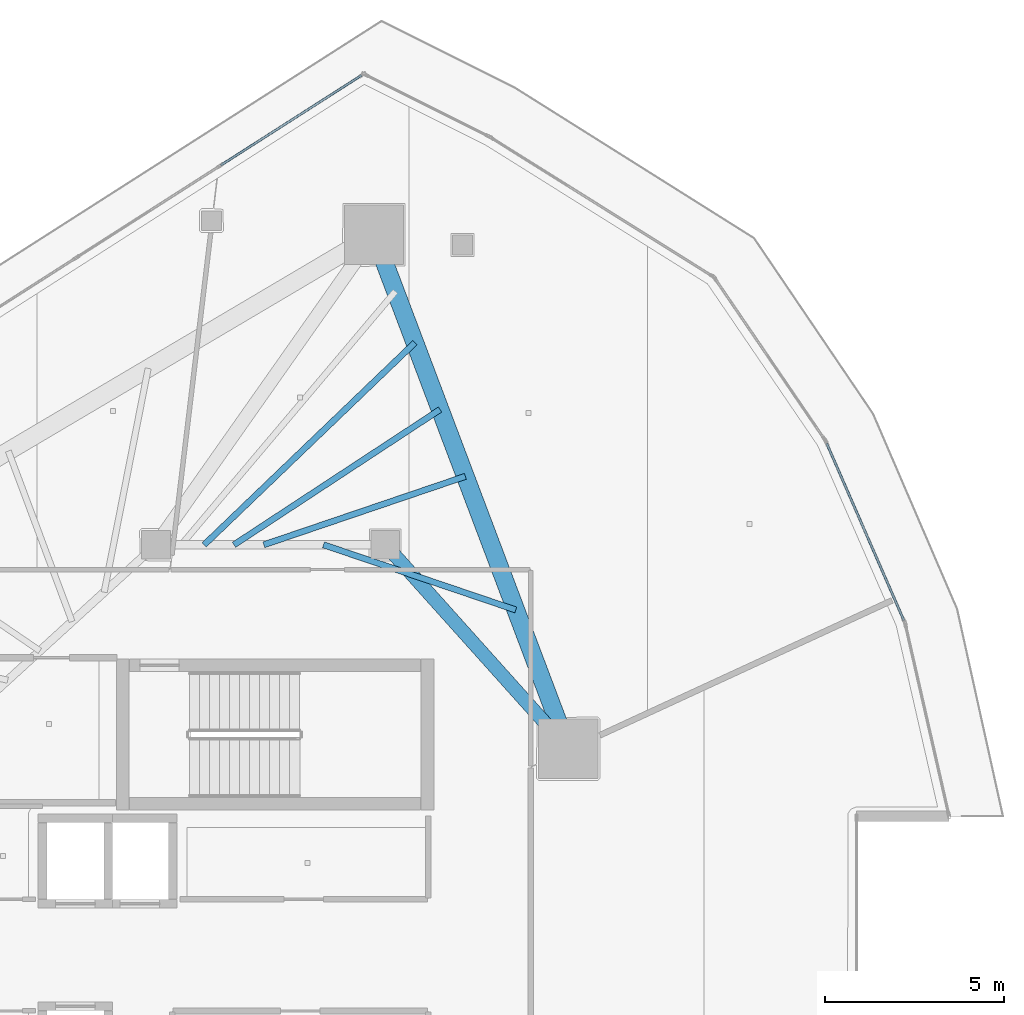
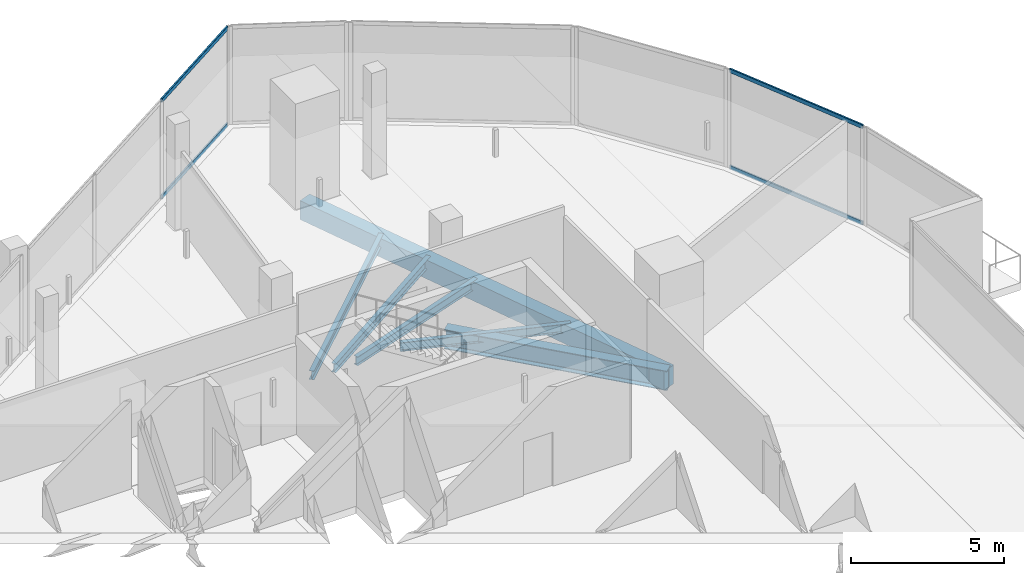
# One storey, part 18 of 31: 6 beams, 4 members, 2 elements without a shape of their own.
"""IFC4 building model written with IfcOpenShell, lengths in metres."""

from ifc_helpers import new_model, si_unit, direction, frame, origin, origin_2d, place, context, subcontext, project, spatial, rectangle, hollow_rectangle, i_section, extrude, material, layer, layer_set, material_profile, profile_set, type_object, element, aggregate, save


model = new_model("IFC4")

# Units and contexts
model_context = context("Model", 3, precision=1e-05, world=origin(), true_north=direction((0.0, 1.0)))
body_context = subcontext(model_context, "Body", "Model", "MODEL_VIEW")
ifc_project = project(units=[si_unit("LENGTHUNIT", "METRE"), si_unit("AREAUNIT", "SQUARE_METRE"), si_unit("VOLUMEUNIT", "CUBIC_METRE"), si_unit("PLANEANGLEUNIT", "RADIAN"), si_unit("MASSUNIT", "GRAM", prefix="KILO")], contexts=[model_context])

# Site, building, storey
site_placement = place(None, origin())
site = spatial("IfcSite", under=ifc_project, at=site_placement, CompositionType="ELEMENT")
building_placement = place(site_placement, origin())
building = spatial("IfcBuilding", under=site, at=building_placement, Name="Qorvath Tower", CompositionType="ELEMENT")
storey_placement = place(building_placement, frame((0.0, 0.0, 264.0)))
storey = spatial("IfcBuildingStorey", under=building, at=storey_placement, Name="L61", CompositionType="ELEMENT", Elevation=264.0)

# Beams
ifc_material_1 = material(Name="Steel ASTM A992 Grade 50", Category="steel")
ifc_material_profile_1 = material_profile(ifc_material_1, i_section(OverallWidth=0.381103515625, OverallDepth=0.77294921875, WebThickness=0.0166015625, FlangeThickness=0.027099609375, FilletRadius=0.01904296875, at=origin_2d()), Name="W30x173")
ifc_profile_set_1 = profile_set([ifc_material_profile_1], Name="Steel ASTM A992 Grade 50")
beam_type_1 = type_object("IfcBeamType", Name="BM-FG3", PredefinedType="BEAM", material=ifc_profile_set_1)
beam_1_placement = place(storey_placement, frame((-17.199951171875, 11.449951171875, -0.676513671875), z_axis=(0.667543184261, -0.744571082669, 0.0), x_axis=(0.744571082669, 0.667543184261, 0.0)))
element("IfcBeam", 1, at=beam_1_placement, inside=storey, type_object=beam_type_1, Name="Radial Floor Girder CC2-MC5 L61", PredefinedType="BEAM", context=body_context, shape_type="SweptSolid", body=[
    extrude(i_section(OverallWidth=0.381103515625, OverallDepth=0.77294921875, WebThickness=0.0166015625, FlangeThickness=0.027099609375, FilletRadius=0.01904296875, at=origin_2d()), origin(), (0.0, 0.0, 1.0), 7.644775390625),
])
ifc_material_2 = material(Name="Steel ASTM A992 Grade 50", Category="steel")
ifc_material_profile_2 = material_profile(ifc_material_2, i_section(OverallWidth=0.1708984375, OverallDepth=0.35107421875, WebThickness=0.0068359375, FlangeThickness=0.009765625, FilletRadius=0.010009765625, at=origin_2d()), Name="W14x30")
ifc_profile_set_2 = profile_set([ifc_material_profile_2], Name="Steel ASTM A992 Grade 50")
beam_type_2 = type_object("IfcBeamType", Name="BM-FJ4", PredefinedType="JOIST", material=ifc_profile_set_2)
beam_2_placement = place(storey_placement, frame((-18.927978515625, 11.449951171875, -0.465576171875), z_axis=(0.947086298547, -0.32097903842, 0.0), x_axis=(0.32097903842, 0.947086298547, 0.0)))
element("IfcBeam", 2, at=beam_2_placement, inside=storey, type_object=beam_type_2, Name="Composite Floor Joist NE2 L61", PredefinedType="JOIST", context=body_context, shape_type="SweptSolid", body=[
    extrude(i_section(OverallWidth=0.1708984375, OverallDepth=0.35107421875, WebThickness=0.0068359375, FlangeThickness=0.009765625, FilletRadius=0.010009765625, at=origin_2d()), origin(), (0.0, 0.0, 1.0), 5.66796875),
])
beam_3_placement = place(storey_placement, frame((-20.592041015625, 11.449951171875, -0.465576171875), z_axis=(0.946863164885, 0.321636669216, 0.0), x_axis=(-0.321636669216, 0.946863164885, 0.0)))
element("IfcBeam", 3, at=beam_3_placement, inside=storey, type_object=beam_type_2, Name="Composite Floor Joist NE4 L61", PredefinedType="JOIST", context=body_context, shape_type="SweptSolid", body=[
    extrude(i_section(OverallWidth=0.1708984375, OverallDepth=0.35107421875, WebThickness=0.0068359375, FlangeThickness=0.009765625, FilletRadius=0.010009765625, at=origin_2d()), origin(), (0.0, 0.0, 1.0), 5.93896484375),
])
beam_4_placement = place(storey_placement, frame((-21.424072265625, 11.449951171875, -0.465576171875), z_axis=(0.835992964387, 0.548740160272, 0.0), x_axis=(-0.548740160272, 0.835992964387, 0.0)))
element("IfcBeam", 4, at=beam_4_placement, inside=storey, type_object=beam_type_2, Name="Composite Floor Joist NE5 L61", PredefinedType="JOIST", context=body_context, shape_type="SweptSolid", body=[
    extrude(i_section(OverallWidth=0.1708984375, OverallDepth=0.35107421875, WebThickness=0.0068359375, FlangeThickness=0.009765625, FilletRadius=0.010009765625, at=origin_2d()), origin(), (0.0, 0.0, 1.0), 6.879150390625),
])
beam_5_placement = place(storey_placement, frame((-22.256103515625, 11.449951171875, -0.465576171875), z_axis=(0.721625044611, 0.692284114356, 0.0), x_axis=(-0.692284114356, 0.721625044611, 0.0)))
element("IfcBeam", 5, at=beam_5_placement, inside=storey, type_object=beam_type_2, Name="Composite Floor Joist NE6 L61", PredefinedType="JOIST", context=body_context, shape_type="SweptSolid", body=[
    extrude(i_section(OverallWidth=0.1708984375, OverallDepth=0.35107421875, WebThickness=0.0068359375, FlangeThickness=0.009765625, FilletRadius=0.010009765625, at=origin_2d()), origin(), (0.0, 0.0, 1.0), 8.14599609375),
])
ifc_material_3 = material(Name="Concrete C45/55", Category="concrete")
ifc_material_profile_3 = material_profile(ifc_material_3, rectangle(XDim=0.5, YDim=0.75, at=origin_2d()), Name="RCB 750x500")
ifc_profile_set_3 = profile_set([ifc_material_profile_3], Name="Concrete C45/55")
beam_type_3 = type_object("IfcBeamType", Name="BM-RCB3", PredefinedType="SPANDREL", material=ifc_profile_set_3)
beam_6_placement = place(storey_placement, frame((-12.0966796875, 5.7578125, -0.6650390625), z_axis=(-0.353397781952, 0.935473146441, 0.0), x_axis=(-0.935473146441, -0.353397781952, 0.0)))
element("IfcBeam", 6, at=beam_6_placement, inside=storey, type_object=beam_type_3, Name="Perimeter Loggia Frame Beam MC5-MC6 L61", PredefinedType="SPANDREL", context=body_context, shape_type="SweptSolid", body=[
    extrude(rectangle(XDim=0.5, YDim=0.75, at=origin_2d()), origin(), (0.0, 0.0, 1.0), 15.333251953125),
])

# Curtain wall, members
ifc_material_4 = material(Name="Anodised aluminium and triple low-E glass", Category="aluminium")
ifc_layer = layer(ifc_material_4, 0.179931640625)
ifc_layer_set = layer_set([ifc_layer], Name="CW-SYS-4")
curtain_wall_type = type_object("IfcCurtainWallType", Name="CW-SYS-4", PredefinedType="NOTDEFINED", material=ifc_layer_set)
curtain_wall_1_placement = place(storey_placement, origin())
curtain_wall_1 = element("IfcCurtainWall", 7, at=curtain_wall_1_placement, inside=storey, type_object=curtain_wall_type, Name="Curtain Wall CW-4 CW-T-L61-12.1", PredefinedType="NOTDEFINED")
ifc_material_5 = material(Name="Anodised aluminium 6063-T6", Category="aluminium")
ifc_material_profile_4 = material_profile(ifc_material_5, hollow_rectangle(XDim=0.06494140625, YDim=0.159912109375, WallThickness=0.00341796875, InnerFilletRadius=0.00341796875, OuterFilletRadius=0.007080078125, at=origin_2d()), Name="CWT 160x65")
ifc_profile_set_4 = profile_set([ifc_material_profile_4], Name="Anodised aluminium 6063-T6")
member_type = type_object("IfcMemberType", Name="CWT-160", PredefinedType="USERDEFINED", material=ifc_profile_set_4)
member_1_placement = place(storey_placement, frame((-2.728515625, 9.338623046875, 0.032470703125), z_axis=(-0.399769994455, 0.916615487286, 0.0), x_axis=(-0.916615487286, -0.399769994455, 0.0)))
member_1 = element("IfcMember", 8, at=member_1_placement, type_object=member_type, Name="CW-4 transom 1.1", ObjectType="TRANSOM", PredefinedType="USERDEFINED", context=body_context, shape_type="SweptSolid", body=[
    extrude(hollow_rectangle(XDim=0.06494140625, YDim=0.159912109375, WallThickness=0.00341796875, InnerFilletRadius=0.00341796875, OuterFilletRadius=0.007080078125, at=origin_2d()), origin(), (0.0, 0.0, 1.0), 5.386474609375),
])
member_2_placement = place(storey_placement, frame((-2.728515625, 9.338623046875, 3.87744140625), z_axis=(-0.399769994455, 0.916615487286, 0.0), x_axis=(-0.916615487286, -0.399769994455, 0.0)))
member_2 = element("IfcMember", 9, at=member_2_placement, type_object=member_type, Name="CW-4 transom 1.2", ObjectType="TRANSOM", PredefinedType="USERDEFINED", context=body_context, shape_type="SweptSolid", body=[
    extrude(hollow_rectangle(XDim=0.06494140625, YDim=0.159912109375, WallThickness=0.00341796875, InnerFilletRadius=0.00341796875, OuterFilletRadius=0.007080078125, at=origin_2d()), origin(), (0.0, 0.0, 1.0), 5.386474609375),
])
aggregate(curtain_wall_1, [member_1, member_2])

curtain_wall_2_placement = place(storey_placement, origin())
curtain_wall_2 = element("IfcCurtainWall", 10, at=curtain_wall_2_placement, inside=storey, type_object=curtain_wall_type, Name="Curtain Wall CW-4 CW-T-L61-16.1", PredefinedType="NOTDEFINED")
member_3_placement = place(storey_placement, frame((-17.86572265625, 24.552490234375, 0.032470703125), z_axis=(-0.842601734478, -0.53853720118, 0.0), x_axis=(0.53853720118, -0.842601734478, 0.0)))
member_3 = element("IfcMember", 11, at=member_3_placement, type_object=member_type, Name="CW-4 transom 1.1", ObjectType="TRANSOM", PredefinedType="USERDEFINED", context=body_context, shape_type="SweptSolid", body=[
    extrude(hollow_rectangle(XDim=0.06494140625, YDim=0.159912109375, WallThickness=0.00341796875, InnerFilletRadius=0.00341796875, OuterFilletRadius=0.007080078125, at=origin_2d()), origin(), (0.0, 0.0, 1.0), 4.6552734375),
])
member_4_placement = place(storey_placement, frame((-17.86572265625, 24.552490234375, 3.87744140625), z_axis=(-0.842601734478, -0.53853720118, 0.0), x_axis=(0.53853720118, -0.842601734478, 0.0)))
member_4 = element("IfcMember", 12, at=member_4_placement, type_object=member_type, Name="CW-4 transom 1.2", ObjectType="TRANSOM", PredefinedType="USERDEFINED", context=body_context, shape_type="SweptSolid", body=[
    extrude(hollow_rectangle(XDim=0.06494140625, YDim=0.159912109375, WallThickness=0.00341796875, InnerFilletRadius=0.00341796875, OuterFilletRadius=0.007080078125, at=origin_2d()), origin(), (0.0, 0.0, 1.0), 4.6552734375),
])
aggregate(curtain_wall_2, [member_3, member_4])

save(model, "model.ifc")
